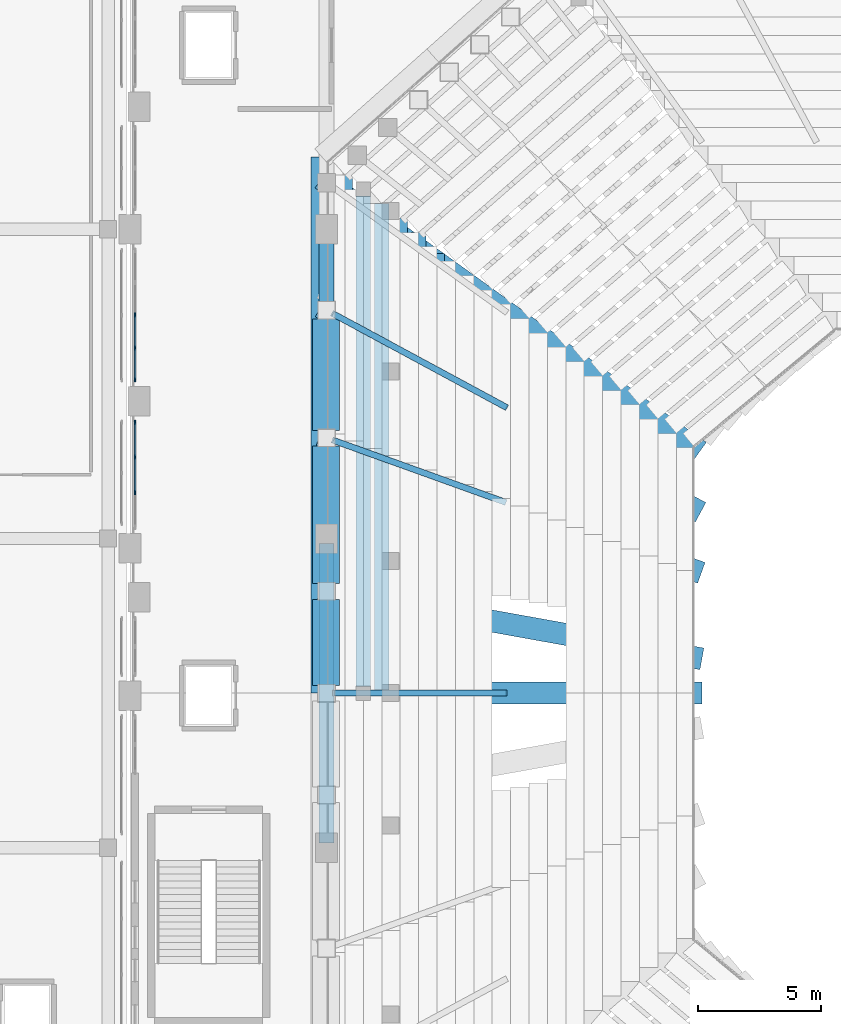
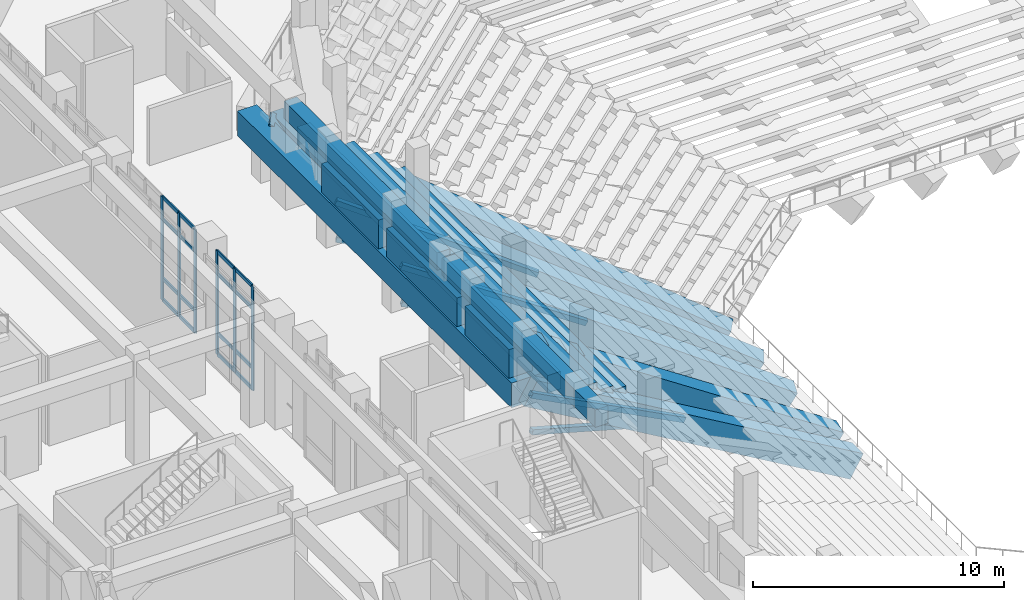
# One storey, part 46 of 159: 28 members, 17 beams, 2 elements without a shape of their own.
"""IFC4 building model written with IfcOpenShell, lengths in metres."""

from ifc_helpers import new_model, si_unit, derived_unit, direction, frame, origin, origin_2d, place, context, subcontext, project, spatial, rectangle, hollow_rectangle, extrude, material, layer, layer_set, material_profile, profile_set, type_object, element, aggregate, save


model = new_model("IFC4")

# Units and contexts
model_context = context("Model", 3, precision=1e-05, world=origin(), true_north=direction((0.0, 1.0)))
body_context = subcontext(model_context, "Body", "Model", "MODEL_VIEW")
ifc_project = project(units=[si_unit("LENGTHUNIT", "METRE"), si_unit("AREAUNIT", "SQUARE_METRE"), si_unit("VOLUMEUNIT", "CUBIC_METRE"), si_unit("PLANEANGLEUNIT", "RADIAN"), si_unit("MASSUNIT", "GRAM", prefix="KILO"), derived_unit("THERMALTRANSMITTANCEUNIT", [(si_unit("MASSUNIT", "GRAM", prefix="KILO"), 1), (si_unit("TIMEUNIT", "SECOND"), -3), (si_unit("THERMODYNAMICTEMPERATUREUNIT", "KELVIN"), -1)])], contexts=[model_context])

# Site, building, storey
site_placement = place(None, origin())
site = spatial("IfcSite", under=ifc_project, at=site_placement, CompositionType="ELEMENT")
building_placement = place(site_placement, origin())
building = spatial("IfcBuilding", under=site, at=building_placement, Name="Valcora Ridge Arena", CompositionType="ELEMENT")
storey_placement = place(building_placement, frame((0.0, 0.0, 6.0)))
storey = spatial("IfcBuildingStorey", under=building, at=storey_placement, Name="L01", CompositionType="ELEMENT", Elevation=6.0)

# Beams
ifc_material_1 = material(Name="Concrete C40/50", Category="concrete")
ifc_material_profile_1 = material_profile(ifc_material_1, rectangle(XDim=0.60009765625, YDim=0.85009765625, at=origin_2d()), Name="RC 600x850")
ifc_profile_set_1 = profile_set([ifc_material_profile_1], Name="Concrete C40/50")
beam_type_1 = type_object("IfcBeamType", Name="TY-BEAM-B-RC600-X", PredefinedType="BEAM", material=ifc_profile_set_1)
beam_1_placement = place(storey_placement, frame((28.5, 82.010009765625, 0.135009765625), z_axis=(0.0, -1.0, 0.0), x_axis=(1.0, 0.0, 0.0)))
element("IfcBeam", 1, at=beam_1_placement, inside=storey, type_object=beam_type_1, Name="B-RC600-X BEM-R2-B-RC600-X-0166", PredefinedType="BEAM", context=body_context, shape_type="SweptSolid", body=[
    extrude(rectangle(XDim=0.60009765625, YDim=0.85009765625, at=origin_2d()), origin(), (0.0, 0.0, 1.0), 17.630126953125),
])
beam_2_placement = place(storey_placement, frame((27.75, 82.875, 0.574951171875), z_axis=(0.0, -1.0, 0.0), x_axis=(1.0, 0.0, 0.0)))
element("IfcBeam", 2, at=beam_2_placement, inside=storey, type_object=beam_type_1, Name="B-RC600-X BEM-R2-B-RC600-X-0178", PredefinedType="BEAM", context=body_context, shape_type="SweptSolid", body=[
    extrude(rectangle(XDim=0.60009765625, YDim=0.85009765625, at=origin_2d()), origin(), (0.0, 0.0, 1.0), 18.77490234375),
])
beam_3_placement = place(storey_placement, frame((27.0, 83.4599609375, 1.014892578125), z_axis=(0.0, -1.0, 0.0), x_axis=(1.0, 0.0, 0.0)))
element("IfcBeam", 3, at=beam_3_placement, inside=storey, type_object=beam_type_1, Name="B-RC600-X BEM-R2-B-RC600-X-0190", PredefinedType="BEAM", context=body_context, shape_type="SweptSolid", body=[
    extrude(rectangle(XDim=0.60009765625, YDim=0.85009765625, at=origin_2d()), origin(), (0.0, 0.0, 1.0), 19.35986328125),
])
beam_4_placement = place(storey_placement, frame((26.25, 84.044921875, 1.455078125), z_axis=(0.0, -1.0, 0.0), x_axis=(1.0, 0.0, 0.0)))
element("IfcBeam", 4, at=beam_4_placement, inside=storey, type_object=beam_type_1, Name="B-RC600-X BEM-R2-B-RC600-X-0202", PredefinedType="BEAM", context=body_context, shape_type="SweptSolid", body=[
    extrude(rectangle(XDim=0.60009765625, YDim=0.85009765625, at=origin_2d()), origin(), (0.0, 0.0, 1.0), 19.94482421875),
])
beam_5_placement = place(storey_placement, frame((25.5, 84.35009765625, 1.89501953125), z_axis=(0.0, -1.0, 0.0), x_axis=(1.0, 0.0, 0.0)))
element("IfcBeam", 5, at=beam_5_placement, inside=storey, type_object=beam_type_1, Name="B-RC600-X BEM-R2-B-RC600-X-0214", PredefinedType="BEAM", context=body_context, shape_type="SweptSolid", body=[
    extrude(rectangle(XDim=0.60009765625, YDim=0.85009765625, at=origin_2d()), origin(), (0.0, 0.0, 1.0), 19.97021484375),
])
beam_6_placement = place(storey_placement, frame((24.75, 85.215087890625, 2.3349609375), z_axis=(0.0, -1.0, 0.0), x_axis=(1.0, 0.0, 0.0)))
element("IfcBeam", 6, at=beam_6_placement, inside=storey, type_object=beam_type_1, Name="B-RC600-X BEM-R2-B-RC600-X-0226", PredefinedType="BEAM", context=body_context, shape_type="SweptSolid", body=[
    extrude(rectangle(XDim=0.60009765625, YDim=0.85009765625, at=origin_2d()), origin(), (0.0, 0.0, 1.0), 21.114990234375),
])
ifc_material_profile_2 = material_profile(ifc_material_1, rectangle(XDim=0.60009765625, YDim=0.85009765625, at=origin_2d()), Name="RC 600x850")
ifc_profile_set_2 = profile_set([ifc_material_profile_2], Name="Concrete C40/50")
beam_type_2 = type_object("IfcBeamType", Name="TY-BEAM-B-RC600-Y", PredefinedType="BEAM", material=ifc_profile_set_2)
for number, where, z_axis, x_axis, name in (
    (7, (24.0, 58.0, 4.614990234375), (0.0, 1.0, 0.0), (-1.0, 0.0, 0.0), "B-RC600-Y BEM-B-RC600-Y-0013"),
    (8, (24.0, 70.60009765625, 4.614990234375), (0.0, 1.0, 0.0), (-1.0, 0.0, 0.0), "B-RC600-Y BEM-B-RC600-Y-0014"),
):
    element("IfcBeam", number, at=place(storey_placement, frame(where, z_axis=z_axis, x_axis=x_axis)), inside=storey, type_object=beam_type_2, Name=name, PredefinedType="BEAM", context=body_context, shape_type="SweptSolid", body=[
        extrude(rectangle(XDim=0.60009765625, YDim=0.85009765625, at=origin_2d()), origin(), (0.0, 0.0, 1.0), 12.199951171875),
    ])
ifc_material_profile_3 = material_profile(ifc_material_1, rectangle(XDim=0.89990234375, YDim=1.199951171875, at=origin_2d()), Name="RC 900x1200")
ifc_profile_set_3 = profile_set([ifc_material_profile_3], Name="Concrete C40/50")
beam_type_3 = type_object("IfcBeamType", Name="TY-BEAM-RKR-LOW-1200", PredefinedType="USERDEFINED", material=ifc_profile_set_3)
beam_7_placement = place(storey_placement, frame((39.0, 74.10009765625, -6.489990234375), z_axis=(-0.732730943072, 0.527556738244, 0.429871205127), x_axis=(-0.584297766578, -0.811539352079, 0.0)))
element("IfcBeam", 9, at=beam_7_placement, inside=storey, type_object=beam_type_3, Name="RKR-LOW-1200 BEM-RK-RKR-LOW-1200-0047", ObjectType="RAKER", PredefinedType="USERDEFINED", context=body_context, shape_type="SweptSolid", body=[
    extrude(rectangle(XDim=0.89990234375, YDim=1.199951171875, at=origin_2d()), origin(), (0.0, 0.0, 1.0), 20.471435546875),
])
beam_8_placement = place(storey_placement, frame((39.0, 71.60009765625, -6.489990234375), z_axis=(-0.781877545729, 0.422206239171, 0.458704038668), x_axis=(-0.47514226184, -0.879908990188, 0.0)))
element("IfcBeam", 10, at=beam_8_placement, inside=storey, type_object=beam_type_3, Name="RKR-LOW-1200 BEM-RK-RKR-LOW-1200-0048", ObjectType="RAKER", PredefinedType="USERDEFINED", context=body_context, shape_type="SweptSolid", body=[
    extrude(rectangle(XDim=0.89990234375, YDim=1.199951171875, at=origin_2d()), origin(), (0.0, 0.0, 1.0), 19.1845703125),
])
beam_9_placement = place(storey_placement, frame((39.0, 69.10009765625, -6.489990234375), z_axis=(-0.823728563931, 0.296536920199, 0.483256772248), x_axis=(-0.338714045479, -0.940889364057, 0.0)))
element("IfcBeam", 11, at=beam_9_placement, inside=storey, type_object=beam_type_3, Name="RKR-LOW-1200 BEM-RK-RKR-LOW-1200-0049", ObjectType="RAKER", PredefinedType="USERDEFINED", context=body_context, shape_type="SweptSolid", body=[
    extrude(rectangle(XDim=0.89990234375, YDim=1.199951171875, at=origin_2d()), origin(), (0.0, 0.0, 1.0), 18.2099609375),
])
beam_10_placement = place(storey_placement, frame((39.0, 64.10009765625, -6.489990234375), z_axis=(-0.862523680345, 0.0, 0.506016700163), x_axis=(0.0, -1.0, 0.0)))
element("IfcBeam", 12, at=beam_10_placement, inside=storey, type_object=beam_type_3, Name="RKR-LOW-1200 BEM-RK-RKR-LOW-1200-0050", ObjectType="RAKER", PredefinedType="USERDEFINED", context=body_context, shape_type="SweptSolid", body=[
    extrude(rectangle(XDim=0.89990234375, YDim=1.199951171875, at=origin_2d()), origin(), (0.0, 0.0, 1.0), 17.390869140625),
])
beam_11_placement = place(storey_placement, frame((39.0, 65.550048828125, -6.2900390625), z_axis=(-0.852313181593, 0.15341359823, 0.500026507658), x_axis=(-0.177149895134, -0.984183882541, 0.0)))
element("IfcBeam", 13, at=beam_11_placement, inside=storey, type_object=beam_type_3, Name="RKR-LOW-1200 BEM-RKN-RKR-LOW-1200-0003", ObjectType="RAKER", PredefinedType="USERDEFINED", context=body_context, shape_type="SweptSolid", body=[
    extrude(rectangle(XDim=0.89990234375, YDim=1.199951171875, at=origin_2d()), origin(), (0.0, 0.0, 1.0), 17.59912109375),
])
ifc_material_2 = material(Name="Concrete C45/55", Category="concrete")
ifc_material_profile_4 = material_profile(ifc_material_2, rectangle(XDim=0.89990234375, YDim=1.199951171875, at=origin_2d()), Name="RC 900x1200")
ifc_profile_set_4 = profile_set([ifc_material_profile_4], Name="Concrete C45/55")
beam_type_4 = type_object("IfcBeamType", Name="TY-BEAM-RKR-RING-850", PredefinedType="USERDEFINED", material=ifc_profile_set_4)
beam_12_placement = place(storey_placement, frame((23.820068359375, 85.9404296875, 2.159912109375), z_axis=(0.0, -1.0, 0.0), x_axis=(1.0, 0.0, 0.0)))
element("IfcBeam", 14, at=beam_12_placement, inside=storey, type_object=beam_type_4, Name="RKR-RING-850 BEM-R2-RKR-RING-850-0013", ObjectType="RAKER", PredefinedType="USERDEFINED", context=body_context, shape_type="SweptSolid", body=[
    extrude(rectangle(XDim=0.89990234375, YDim=1.199951171875, at=origin_2d()), origin(), (0.0, 0.0, 1.0), 21.84033203125),
])
ifc_material_profile_5 = material_profile(ifc_material_2, rectangle(XDim=1.10009765625, YDim=1.39990234375, at=origin_2d()), Name="RC 1100x1400")
ifc_profile_set_5 = profile_set([ifc_material_profile_5], Name="Concrete C45/55")
beam_type_5 = type_object("IfcBeamType", Name="TY-BEAM-RKR-URING-1100", PredefinedType="USERDEFINED", material=ifc_profile_set_5)
beam_13_placement = place(storey_placement, frame((23.983154296875, 79.353759765625, 3.47509765625), z_axis=(0.0, -1.0, 0.0), x_axis=(1.0, 0.0, 0.0)))
element("IfcBeam", 15, at=beam_13_placement, inside=storey, type_object=beam_type_5, Name="RKR-URING-1100 BEM-RU2-RKR-URING-1100-0031", ObjectType="RAKER", PredefinedType="USERDEFINED", context=body_context, shape_type="SweptSolid", body=[
    extrude(rectangle(XDim=1.10009765625, YDim=1.39990234375, at=origin_2d()), origin(), (0.0, 0.0, 1.0), 4.55126953125),
])
beam_14_placement = place(storey_placement, frame((23.983154296875, 74.16259765625, 3.47509765625), z_axis=(0.0, -1.0, 0.0), x_axis=(1.0, 0.0, 0.0)))
element("IfcBeam", 16, at=beam_14_placement, inside=storey, type_object=beam_type_5, Name="RKR-URING-1100 BEM-RU2-RKR-URING-1100-0032", ObjectType="RAKER", PredefinedType="USERDEFINED", context=body_context, shape_type="SweptSolid", body=[
    extrude(rectangle(XDim=1.10009765625, YDim=1.39990234375, at=origin_2d()), origin(), (0.0, 0.0, 1.0), 5.6005859375),
])
beam_15_placement = place(storey_placement, frame((23.983154296875, 67.921875, 3.47509765625), z_axis=(0.0, -1.0, 0.0), x_axis=(1.0, 0.0, 0.0)))
element("IfcBeam", 17, at=beam_15_placement, inside=storey, type_object=beam_type_5, Name="RKR-URING-1100 BEM-RU2-RKR-URING-1100-0033", ObjectType="RAKER", PredefinedType="USERDEFINED", context=body_context, shape_type="SweptSolid", body=[
    extrude(rectangle(XDim=1.10009765625, YDim=1.39990234375, at=origin_2d()), origin(), (0.0, 0.0, 1.0), 3.501953125),
])

# Curtain wall, members
ifc_material_3 = material(Name="Anodised dark bronze architectural aluminium 6063-T6", Category="aluminium")
ifc_layer_1 = layer(ifc_material_3, 0.179931640625, Name="Anodised dark bronze architectural aluminium 6063-T6")
ifc_layer_set_1 = layer_set([ifc_layer_1], Name="Anodised dark bronze architectural aluminium 6063-T6")
curtain_wall_type_1 = type_object("IfcCurtainWallType", Name="TY-CURTAINWALL-CW-V1-GOTH-043X50", PredefinedType="NOTDEFINED", material=ifc_layer_set_1)
curtain_wall_1_placement = place(storey_placement, origin())
curtain_wall_1 = element("IfcCurtainWall", 18, at=curtain_wall_1_placement, inside=storey, type_object=curtain_wall_type_1, Name="CW-V1-GOTH-043X50 CW-0094", PredefinedType="NOTDEFINED")
ifc_material_profile_6 = material_profile(ifc_material_3, rectangle(XDim=0.06005859375, YDim=0.179931640625, at=origin_2d()), Name="ALU MULLION 60x180")
ifc_profile_set_6 = profile_set([ifc_material_profile_6], Name="Anodised dark bronze architectural aluminium 6063-T6")
member_type_1 = type_object("IfcMemberType", Name="TY-MEM-CWM-60x180", PredefinedType="MULLION", material=ifc_profile_set_6)
member_1_placement = place(storey_placement, frame((16.199951171875, 72.280029296875, 0.0), z_axis=(0.0, 0.0, 1.0), x_axis=(-1.0, 0.0, 0.0)))
member_1 = element("IfcMember", 19, at=member_1_placement, type_object=member_type_1, Name="CW-0094/CWM-60x180/M01", PredefinedType="MULLION", context=body_context, shape_type="SweptSolid", body=[
    extrude(rectangle(XDim=0.06005859375, YDim=0.179931640625, at=origin_2d()), origin(), (0.0, 0.0, 1.0), 5.0400390625),
])
member_2_placement = place(storey_placement, frame((16.199951171875, 73.719970703125, 0.0), z_axis=(0.0, 0.0, 1.0), x_axis=(-1.0, 0.0, 0.0)))
member_2 = element("IfcMember", 20, at=member_2_placement, type_object=member_type_1, Name="CW-0094/CWM-60x180/M02", PredefinedType="MULLION", context=body_context, shape_type="SweptSolid", body=[
    extrude(rectangle(XDim=0.06005859375, YDim=0.179931640625, at=origin_2d()), origin(), (0.0, 0.0, 1.0), 5.0400390625),
])
member_3_placement = place(storey_placement, frame((16.199951171875, 75.1298828125, 0.0), z_axis=(0.0, 0.0, 1.0), x_axis=(-1.0, 0.0, 0.0)))
member_3 = element("IfcMember", 21, at=member_3_placement, type_object=member_type_1, Name="CW-0094/CWM-60x180/M03", PredefinedType="MULLION", context=body_context, shape_type="SweptSolid", body=[
    extrude(rectangle(XDim=0.06005859375, YDim=0.179931640625, at=origin_2d()), origin(), (0.0, 0.0, 1.0), 5.0400390625),
])

ifc_layer_2 = layer(ifc_material_3, 0.179931640625, Name="Anodised dark bronze architectural aluminium 6063-T6")
ifc_layer_set_2 = layer_set([ifc_layer_2], Name="Anodised dark bronze architectural aluminium 6063-T6")
curtain_wall_type_2 = type_object("IfcCurtainWallType", Name="TY-CURTAINWALL-CW-V1-GOTH-053X50", PredefinedType="NOTDEFINED", material=ifc_layer_set_2)
curtain_wall_2_placement = place(storey_placement, origin())
curtain_wall_2 = element("IfcCurtainWall", 22, at=curtain_wall_2_placement, inside=storey, type_object=curtain_wall_type_2, Name="CW-V1-GOTH-053X50 CW-0095", PredefinedType="NOTDEFINED")
member_4_placement = place(storey_placement, frame((16.199951171875, 76.8701171875, 0.0), z_axis=(0.0, 0.0, 1.0), x_axis=(-1.0, 0.0, 0.0)))
member_4 = element("IfcMember", 23, at=member_4_placement, type_object=member_type_1, Name="CW-0095/CWM-60x180/M00", PredefinedType="MULLION", context=body_context, shape_type="SweptSolid", body=[
    extrude(rectangle(XDim=0.06005859375, YDim=0.179931640625, at=origin_2d()), origin(), (0.0, 0.0, 1.0), 5.0400390625),
])
member_5_placement = place(storey_placement, frame((16.199951171875, 78.169921875, 0.0), z_axis=(0.0, 0.0, 1.0), x_axis=(-1.0, 0.0, 0.0)))
member_5 = element("IfcMember", 24, at=member_5_placement, type_object=member_type_1, Name="CW-0095/CWM-60x180/M01", PredefinedType="MULLION", context=body_context, shape_type="SweptSolid", body=[
    extrude(rectangle(XDim=0.06005859375, YDim=0.179931640625, at=origin_2d()), origin(), (0.0, 0.0, 1.0), 5.0400390625),
])
member_6_placement = place(storey_placement, frame((16.199951171875, 79.5, 0.0), z_axis=(0.0, 0.0, 1.0), x_axis=(-1.0, 0.0, 0.0)))
member_6 = element("IfcMember", 25, at=member_6_placement, type_object=member_type_1, Name="CW-0095/CWM-60x180/M02", PredefinedType="MULLION", context=body_context, shape_type="SweptSolid", body=[
    extrude(rectangle(XDim=0.06005859375, YDim=0.179931640625, at=origin_2d()), origin(), (0.0, 0.0, 1.0), 5.0400390625),
])

# Member
ifc_material_profile_7 = material_profile(ifc_material_3, rectangle(XDim=0.06005859375, YDim=0.179931640625, at=origin_2d()), Name="ALU TRANSOM 60x180")
ifc_profile_set_7 = profile_set([ifc_material_profile_7], Name="Anodised dark bronze architectural aluminium 6063-T6")
member_type_2 = type_object("IfcMemberType", Name="TY-MEM-CWT-60x180", PredefinedType="USERDEFINED", material=ifc_profile_set_7)
member_7_placement = place(storey_placement, frame((16.199951171875, 72.31005859375, 0.030029296875), z_axis=(0.0, 1.0, 0.0), x_axis=(-1.0, 0.0, 0.0)))
member_7 = element("IfcMember", 26, at=member_7_placement, type_object=member_type_2, Name="CW-0094/CWT-60x180/T01-00", ObjectType="TRANSOM", PredefinedType="USERDEFINED", context=body_context, shape_type="SweptSolid", body=[
    extrude(rectangle(XDim=0.06005859375, YDim=0.179931640625, at=origin_2d()), origin(), (0.0, 0.0, 1.0), 1.3798828125),
])

member_8_placement = place(storey_placement, frame((16.199951171875, 72.31005859375, 1.050048828125), z_axis=(0.0, 1.0, 0.0), x_axis=(-1.0, 0.0, 0.0)))
member_8 = element("IfcMember", 27, at=member_8_placement, type_object=member_type_2, Name="CW-0094/CWT-60x180/T01-01", ObjectType="TRANSOM", PredefinedType="USERDEFINED", context=body_context, shape_type="SweptSolid", body=[
    extrude(rectangle(XDim=0.06005859375, YDim=0.179931640625, at=origin_2d()), origin(), (0.0, 0.0, 1.0), 1.3798828125),
])

member_9_placement = place(storey_placement, frame((16.199951171875, 72.31005859375, 3.93994140625), z_axis=(0.0, 1.0, 0.0), x_axis=(-1.0, 0.0, 0.0)))
member_9 = element("IfcMember", 28, at=member_9_placement, type_object=member_type_2, Name="CW-0094/CWT-60x180/T01-02", ObjectType="TRANSOM", PredefinedType="USERDEFINED", context=body_context, shape_type="SweptSolid", body=[
    extrude(rectangle(XDim=0.06005859375, YDim=0.179931640625, at=origin_2d()), origin(), (0.0, 0.0, 1.0), 1.3798828125),
])

member_10_placement = place(storey_placement, frame((16.199951171875, 72.31005859375, 5.010009765625), z_axis=(0.0, 1.0, 0.0), x_axis=(-1.0, 0.0, 0.0)))
member_10 = element("IfcMember", 29, at=member_10_placement, type_object=member_type_2, Name="CW-0094/CWT-60x180/T01-03", ObjectType="TRANSOM", PredefinedType="USERDEFINED", context=body_context, shape_type="SweptSolid", body=[
    extrude(rectangle(XDim=0.06005859375, YDim=0.179931640625, at=origin_2d()), origin(), (0.0, 0.0, 1.0), 1.3798828125),
])

member_11_placement = place(storey_placement, frame((16.199951171875, 73.75, 0.030029296875), z_axis=(0.0, 1.0, 0.0), x_axis=(-1.0, 0.0, 0.0)))
member_11 = element("IfcMember", 30, at=member_11_placement, type_object=member_type_2, Name="CW-0094/CWT-60x180/T02-00", ObjectType="TRANSOM", PredefinedType="USERDEFINED", context=body_context, shape_type="SweptSolid", body=[
    extrude(rectangle(XDim=0.06005859375, YDim=0.179931640625, at=origin_2d()), origin(), (0.0, 0.0, 1.0), 1.35009765625),
])

member_12_placement = place(storey_placement, frame((16.199951171875, 73.75, 1.050048828125), z_axis=(0.0, 1.0, 0.0), x_axis=(-1.0, 0.0, 0.0)))
member_12 = element("IfcMember", 31, at=member_12_placement, type_object=member_type_2, Name="CW-0094/CWT-60x180/T02-01", ObjectType="TRANSOM", PredefinedType="USERDEFINED", context=body_context, shape_type="SweptSolid", body=[
    extrude(rectangle(XDim=0.06005859375, YDim=0.179931640625, at=origin_2d()), origin(), (0.0, 0.0, 1.0), 1.35009765625),
])

member_13_placement = place(storey_placement, frame((16.199951171875, 73.75, 3.93994140625), z_axis=(0.0, 1.0, 0.0), x_axis=(-1.0, 0.0, 0.0)))
member_13 = element("IfcMember", 32, at=member_13_placement, type_object=member_type_2, Name="CW-0094/CWT-60x180/T02-02", ObjectType="TRANSOM", PredefinedType="USERDEFINED", context=body_context, shape_type="SweptSolid", body=[
    extrude(rectangle(XDim=0.06005859375, YDim=0.179931640625, at=origin_2d()), origin(), (0.0, 0.0, 1.0), 1.35009765625),
])

member_14_placement = place(storey_placement, frame((16.199951171875, 73.75, 5.010009765625), z_axis=(0.0, 1.0, 0.0), x_axis=(-1.0, 0.0, 0.0)))
member_14 = element("IfcMember", 33, at=member_14_placement, type_object=member_type_2, Name="CW-0094/CWT-60x180/T02-03", ObjectType="TRANSOM", PredefinedType="USERDEFINED", context=body_context, shape_type="SweptSolid", body=[
    extrude(rectangle(XDim=0.06005859375, YDim=0.179931640625, at=origin_2d()), origin(), (0.0, 0.0, 1.0), 1.35009765625),
])

aggregate(curtain_wall_1, [member_1, member_2, member_3, member_7, member_8, member_9, member_10, member_11, member_12, member_13, member_14])

member_15_placement = place(storey_placement, frame((16.199951171875, 76.89990234375, 0.030029296875), z_axis=(0.0, 1.0, 0.0), x_axis=(-1.0, 0.0, 0.0)))
member_15 = element("IfcMember", 34, at=member_15_placement, type_object=member_type_2, Name="CW-0095/CWT-60x180/T00-00", ObjectType="TRANSOM", PredefinedType="USERDEFINED", context=body_context, shape_type="SweptSolid", body=[
    extrude(rectangle(XDim=0.06005859375, YDim=0.179931640625, at=origin_2d()), origin(), (0.0, 0.0, 1.0), 1.239990234375),
])

member_16_placement = place(storey_placement, frame((16.199951171875, 76.89990234375, 1.050048828125), z_axis=(0.0, 1.0, 0.0), x_axis=(-1.0, 0.0, 0.0)))
member_16 = element("IfcMember", 35, at=member_16_placement, type_object=member_type_2, Name="CW-0095/CWT-60x180/T00-01", ObjectType="TRANSOM", PredefinedType="USERDEFINED", context=body_context, shape_type="SweptSolid", body=[
    extrude(rectangle(XDim=0.06005859375, YDim=0.179931640625, at=origin_2d()), origin(), (0.0, 0.0, 1.0), 1.239990234375),
])

member_17_placement = place(storey_placement, frame((16.199951171875, 76.89990234375, 3.93994140625), z_axis=(0.0, 1.0, 0.0), x_axis=(-1.0, 0.0, 0.0)))
member_17 = element("IfcMember", 36, at=member_17_placement, type_object=member_type_2, Name="CW-0095/CWT-60x180/T00-02", ObjectType="TRANSOM", PredefinedType="USERDEFINED", context=body_context, shape_type="SweptSolid", body=[
    extrude(rectangle(XDim=0.06005859375, YDim=0.179931640625, at=origin_2d()), origin(), (0.0, 0.0, 1.0), 1.239990234375),
])

member_18_placement = place(storey_placement, frame((16.199951171875, 76.89990234375, 5.010009765625), z_axis=(0.0, 1.0, 0.0), x_axis=(-1.0, 0.0, 0.0)))
member_18 = element("IfcMember", 37, at=member_18_placement, type_object=member_type_2, Name="CW-0095/CWT-60x180/T00-03", ObjectType="TRANSOM", PredefinedType="USERDEFINED", context=body_context, shape_type="SweptSolid", body=[
    extrude(rectangle(XDim=0.06005859375, YDim=0.179931640625, at=origin_2d()), origin(), (0.0, 0.0, 1.0), 1.239990234375),
])

member_19_placement = place(storey_placement, frame((16.199951171875, 78.199951171875, 0.030029296875), z_axis=(0.0, 1.0, 0.0), x_axis=(-1.0, 0.0, 0.0)))
member_19 = element("IfcMember", 38, at=member_19_placement, type_object=member_type_2, Name="CW-0095/CWT-60x180/T01-00", ObjectType="TRANSOM", PredefinedType="USERDEFINED", context=body_context, shape_type="SweptSolid", body=[
    extrude(rectangle(XDim=0.06005859375, YDim=0.179931640625, at=origin_2d()), origin(), (0.0, 0.0, 1.0), 1.27001953125),
])

member_20_placement = place(storey_placement, frame((16.199951171875, 78.199951171875, 1.050048828125), z_axis=(0.0, 1.0, 0.0), x_axis=(-1.0, 0.0, 0.0)))
member_20 = element("IfcMember", 39, at=member_20_placement, type_object=member_type_2, Name="CW-0095/CWT-60x180/T01-01", ObjectType="TRANSOM", PredefinedType="USERDEFINED", context=body_context, shape_type="SweptSolid", body=[
    extrude(rectangle(XDim=0.06005859375, YDim=0.179931640625, at=origin_2d()), origin(), (0.0, 0.0, 1.0), 1.27001953125),
])

member_21_placement = place(storey_placement, frame((16.199951171875, 78.199951171875, 3.93994140625), z_axis=(0.0, 1.0, 0.0), x_axis=(-1.0, 0.0, 0.0)))
member_21 = element("IfcMember", 40, at=member_21_placement, type_object=member_type_2, Name="CW-0095/CWT-60x180/T01-02", ObjectType="TRANSOM", PredefinedType="USERDEFINED", context=body_context, shape_type="SweptSolid", body=[
    extrude(rectangle(XDim=0.06005859375, YDim=0.179931640625, at=origin_2d()), origin(), (0.0, 0.0, 1.0), 1.27001953125),
])

member_22_placement = place(storey_placement, frame((16.199951171875, 78.199951171875, 5.010009765625), z_axis=(0.0, 1.0, 0.0), x_axis=(-1.0, 0.0, 0.0)))
member_22 = element("IfcMember", 41, at=member_22_placement, type_object=member_type_2, Name="CW-0095/CWT-60x180/T01-03", ObjectType="TRANSOM", PredefinedType="USERDEFINED", context=body_context, shape_type="SweptSolid", body=[
    extrude(rectangle(XDim=0.06005859375, YDim=0.179931640625, at=origin_2d()), origin(), (0.0, 0.0, 1.0), 1.27001953125),
])

aggregate(curtain_wall_2, [member_4, member_5, member_6, member_15, member_16, member_17, member_18, member_19, member_20, member_21, member_22])

# Members
ifc_material_4 = material(Name="Steel ASTM A500 Grade C", Category="steel")
ifc_material_profile_8 = material_profile(ifc_material_4, hollow_rectangle(XDim=0.25, YDim=0.25, WallThickness=0.012451171875, at=origin_2d()), Name="HSS250X250X12")
ifc_profile_set_8 = profile_set([ifc_material_profile_8], Name="Steel ASTM A500 Grade C")
member_type_3 = type_object("IfcMemberType", Name="TY-MEMBER-RKRC-253", PredefinedType="CHORD", material=ifc_profile_set_8)
member_23_placement = place(storey_placement, frame((31.294921875, 75.7607421875, -1.842529296875), z_axis=(-0.854357657717, 0.461353135167, 0.239220144161), x_axis=(-0.475148914735, -0.879905397657, 0.0)))
element("IfcMember", 42, at=member_23_placement, inside=storey, type_object=member_type_3, Name="RKRC-253 MBR-RK-RKRC-253-0048", PredefinedType="CHORD", context=body_context, shape_type="SweptSolid", body=[
    extrude(hollow_rectangle(XDim=0.25, YDim=0.25, WallThickness=0.012451171875, at=origin_2d()), origin(), (0.0, 0.0, 1.0), 8.258544921875),
])
member_24_placement = place(storey_placement, frame((31.281494140625, 71.878662109375, -1.8388671875), z_axis=(-0.909842319081, 0.327538176853, 0.254765965375), x_axis=(-0.338714837769, -0.940889078837, 0.0)))
element("IfcMember", 43, at=member_24_placement, inside=storey, type_object=member_type_3, Name="RKRC-253 MBR-RK-RKRC-253-0049", PredefinedType="CHORD", context=body_context, shape_type="SweptSolid", body=[
    extrude(hollow_rectangle(XDim=0.25, YDim=0.25, WallThickness=0.012451171875, at=origin_2d()), origin(), (0.0, 0.0, 1.0), 7.722900390625),
])
member_25_placement = place(storey_placement, frame((31.268798828125, 64.10009765625, -1.835205078125), z_axis=(-0.962966810451, 0.0, 0.269619958404), x_axis=(0.0, -1.0, 0.0)))
element("IfcMember", 44, at=member_25_placement, inside=storey, type_object=member_type_3, Name="RKRC-253 MBR-RK-RKRC-253-0050", PredefinedType="CHORD", context=body_context, shape_type="SweptSolid", body=[
    extrude(hollow_rectangle(XDim=0.25, YDim=0.25, WallThickness=0.012451171875, at=origin_2d()), origin(), (0.0, 0.0, 1.0), 7.2685546875),
])
ifc_material_profile_9 = material_profile(ifc_material_4, hollow_rectangle(XDim=0.25, YDim=0.25, WallThickness=0.012451171875, at=origin_2d()), Name="HSS250X250X12")
ifc_profile_set_9 = profile_set([ifc_material_profile_9], Name="Steel ASTM A500 Grade C")
member_type_4 = type_object("IfcMemberType", Name="TY-MEMBER-RKRD-253", PredefinedType="BRACE", material=ifc_profile_set_9)
member_26_placement = place(storey_placement, frame((31.30810546875, 75.753662109375, -1.75), z_axis=(-0.800127536349, 0.432078796769, 0.416057494776), x_axis=(-0.47515736693, -0.879900833419, 0.0)))
element("IfcMember", 45, at=member_26_placement, inside=storey, type_object=member_type_4, Name="RKRD-253 Raker Diagonal Brace", PredefinedType="BRACE", context=body_context, shape_type="SweptSolid", body=[
    extrude(hollow_rectangle(XDim=0.25, YDim=0.25, WallThickness=0.012451171875, at=origin_2d()), origin(), (0.0, 0.0, 1.0), 8.853515625),
])
member_27_placement = place(storey_placement, frame((31.297119140625, 71.873046875, -1.744384765625), z_axis=(-0.845160099491, 0.304251791003, 0.439471562107), x_axis=(-0.338713707959, -0.940889485562, 0.0)))
element("IfcMember", 46, at=member_27_placement, inside=storey, type_object=member_type_4, Name="RKRD-253 Raker Diagonal Brace", PredefinedType="BRACE", context=body_context, shape_type="SweptSolid", body=[
    extrude(hollow_rectangle(XDim=0.25, YDim=0.25, WallThickness=0.012451171875, at=origin_2d()), origin(), (0.0, 0.0, 1.0), 8.35400390625),
])
member_28_placement = place(storey_placement, frame((31.287109375, 64.10009765625, -1.7392578125), z_axis=(-0.887218312753, 0.0, 0.461349829864), x_axis=(0.0, -1.0, 0.0)))
element("IfcMember", 47, at=member_28_placement, inside=storey, type_object=member_type_4, Name="RKRD-253 Raker Diagonal Brace", PredefinedType="BRACE", context=body_context, shape_type="SweptSolid", body=[
    extrude(hollow_rectangle(XDim=0.25, YDim=0.25, WallThickness=0.012451171875, at=origin_2d()), origin(), (0.0, 0.0, 1.0), 7.93359375),
])

save(model, "model.ifc")
